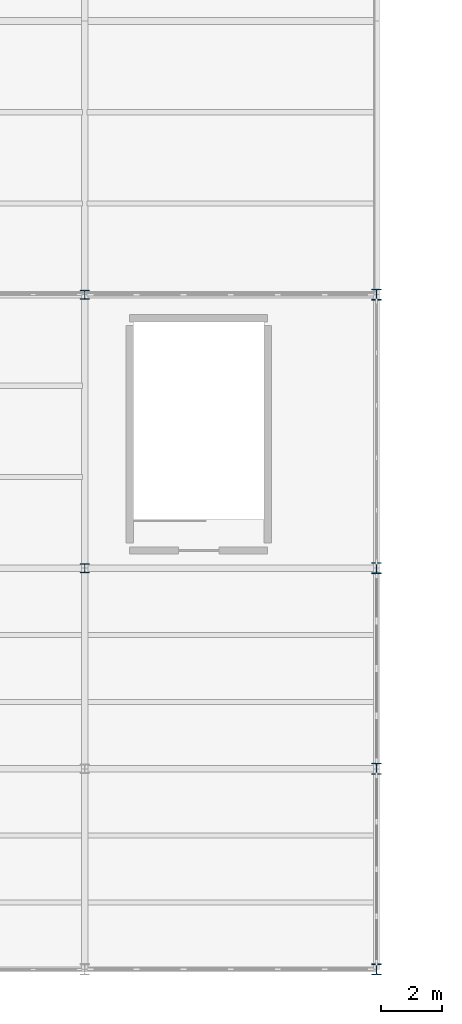
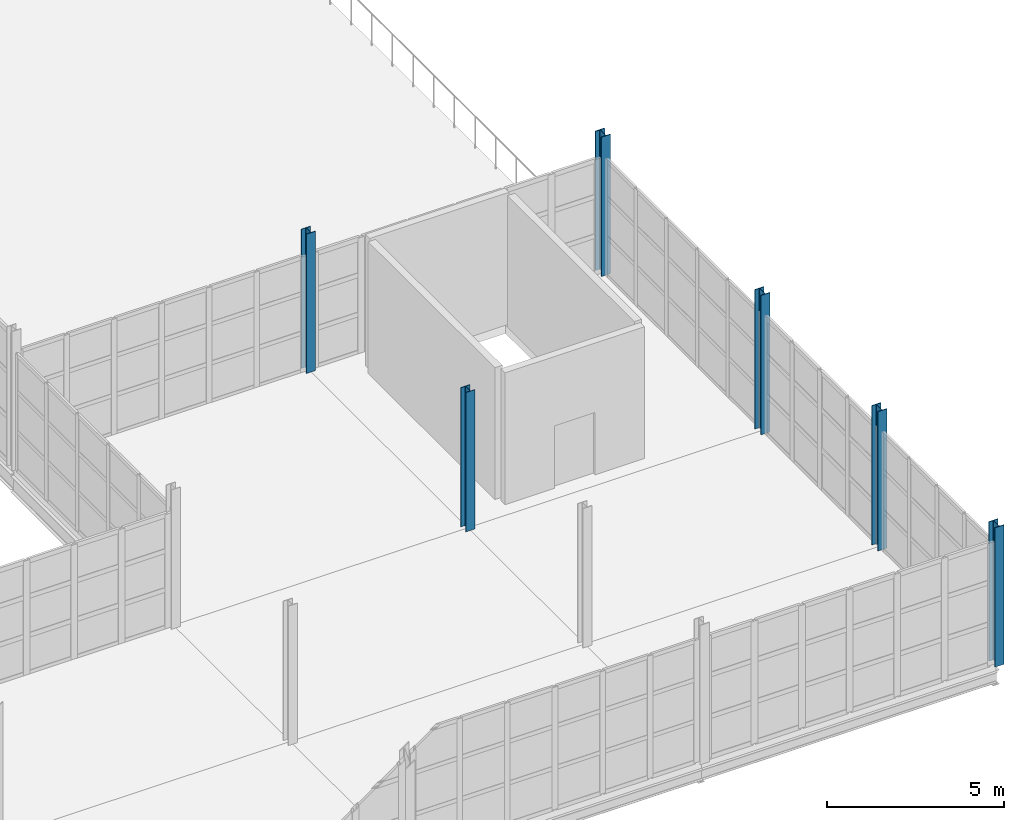
# One storey, part 13 of 120: 6 columns.
"""IFC4 building model written with IfcOpenShell, lengths in metres."""

from ifc_helpers import new_model, si_unit, direction, frame, origin, origin_2d, place, context, subcontext, project, spatial, i_section, extrude, material, material_profile, profile_set, type_object, element, save


model = new_model("IFC4")

# Units and contexts
model_context = context("Model", 3, precision=1e-05, world=origin(), true_north=direction((0.0, 1.0)))
body_context = subcontext(model_context, "Body", "Model", "MODEL_VIEW")
ifc_project = project(units=[si_unit("LENGTHUNIT", "METRE"), si_unit("AREAUNIT", "SQUARE_METRE"), si_unit("VOLUMEUNIT", "CUBIC_METRE"), si_unit("PLANEANGLEUNIT", "RADIAN"), si_unit("MASSUNIT", "GRAM", prefix="KILO")], contexts=[model_context])

# Site, building, storey
site_placement = place(None, origin())
site = spatial("IfcSite", under=ifc_project, at=site_placement, CompositionType="ELEMENT")
building_placement = place(site_placement, origin())
building = spatial("IfcBuilding", under=site, at=building_placement, Name="Zarnetskaya Central Station", CompositionType="ELEMENT")
storey_placement = place(building_placement, frame((0.0, 0.0, 5.39990234375)))
storey = spatial("IfcBuildingStorey", under=building, at=storey_placement, Name="L01", CompositionType="ELEMENT", Elevation=5.39990234375)

# Columns
ifc_material = material(Name="Steel S355", Category="steel")
ifc_material_profile_1 = material_profile(ifc_material, i_section(OverallWidth=0.300048828125, OverallDepth=0.360107421875, WebThickness=0.012451171875, FlangeThickness=0.0224609375, FilletRadius=0.027099609375, at=origin_2d()), Name="HEB 360")
ifc_profile_set_1 = profile_set([ifc_material_profile_1], Name="Steel S355")
column_type_1 = type_object("IfcColumnType", Name="COL-V4-EXT", PredefinedType="COLUMN", material=ifc_profile_set_1)
for number, where, z_axis, x_axis, name in (
    (1, (172.800048828125, 0.0, 0.0), (0.0, 0.0, 1.0), (1.0, 0.0, 0.0), "Column U1 L01"),
    (2, (172.800048828125, 6.60009765625, 0.0), (0.0, 0.0, 1.0), (1.0, 0.0, 0.0), "Column U2 L01"),
    (3, (172.800048828125, 13.199951171875, 0.0), (0.0, 0.0, 1.0), (1.0, 0.0, 0.0), "Column U3 L01"),
    (4, (172.800048828125, 22.199951171875, 0.0), (0.0, 0.0, 1.0), (1.0, 0.0, 0.0), "Column U4 L01"),
):
    element("IfcColumn", number, at=place(storey_placement, frame(where, z_axis=z_axis, x_axis=x_axis)), inside=storey, type_object=column_type_1, Name=name, PredefinedType="COLUMN", context=body_context, shape_type="SweptSolid", body=[
        extrude(i_section(OverallWidth=0.300048828125, OverallDepth=0.360107421875, WebThickness=0.012451171875, FlangeThickness=0.0224609375, FilletRadius=0.027099609375, at=origin_2d()), origin(), (0.0, 0.0, 1.0), 4.800048828125),
    ])
ifc_material_profile_2 = material_profile(ifc_material, i_section(OverallWidth=0.300048828125, OverallDepth=0.300048828125, WebThickness=0.010986328125, FlangeThickness=0.01904296875, FilletRadius=0.027099609375, at=origin_2d()), Name="HEB 300")
ifc_profile_set_2 = profile_set([ifc_material_profile_2], Name="Steel S355")
column_type_2 = type_object("IfcColumnType", Name="COL-V4-INT", PredefinedType="COLUMN", material=ifc_profile_set_2)
for number, where, z_axis, x_axis, name in (
    (5, (163.199951171875, 13.199951171875, 0.0), (0.0, 0.0, 1.0), (1.0, 0.0, 0.0), "Column T3 L01"),
    (6, (163.199951171875, 22.199951171875, 0.0), (0.0, 0.0, 1.0), (1.0, 0.0, 0.0), "Column T4 L01"),
):
    element("IfcColumn", number, at=place(storey_placement, frame(where, z_axis=z_axis, x_axis=x_axis)), inside=storey, type_object=column_type_2, Name=name, PredefinedType="COLUMN", context=body_context, shape_type="SweptSolid", body=[
        extrude(i_section(OverallWidth=0.300048828125, OverallDepth=0.300048828125, WebThickness=0.010986328125, FlangeThickness=0.01904296875, FilletRadius=0.027099609375, at=origin_2d()), origin(), (0.0, 0.0, 1.0), 4.800048828125),
    ])

save(model, "model.ifc")
